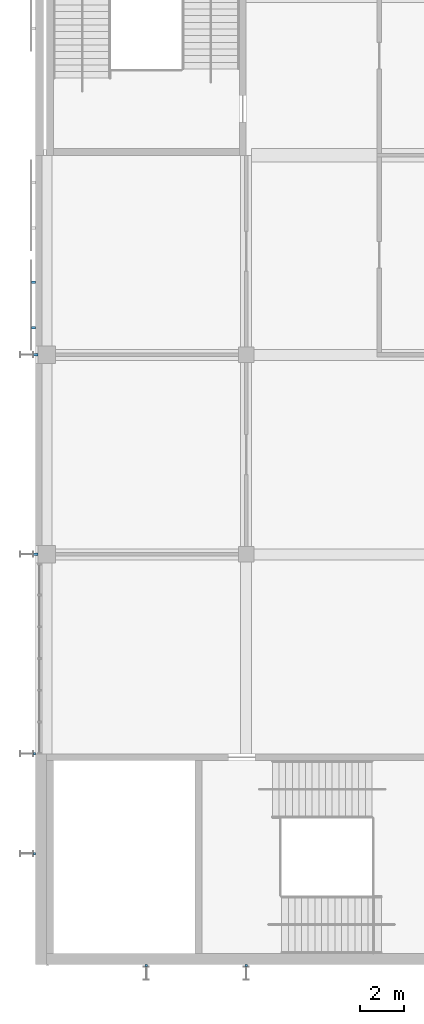
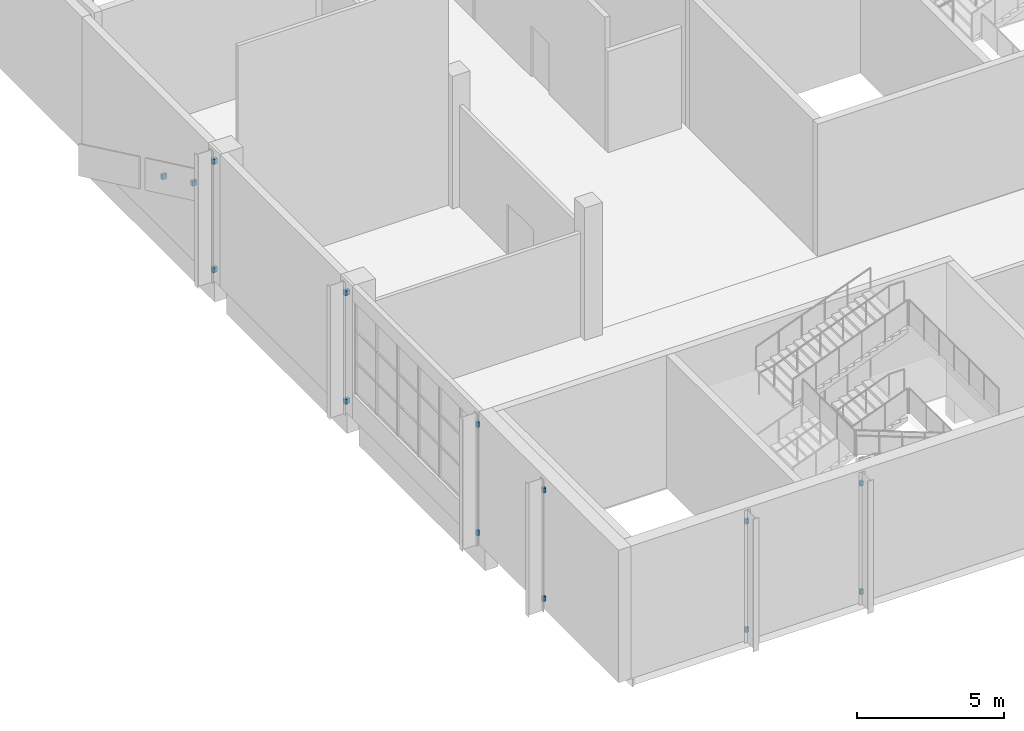
# One storey, part 48 of 84: 14 discrete accessories.
"""IFC4 building model written with IfcOpenShell, lengths in metres."""

from ifc_helpers import new_model, si_unit, direction, frame, origin, origin_2d, place, context, subcontext, project, spatial, rectangle, extrude, material, type_object, element, save


model = new_model("IFC4")

# Units and contexts
model_context = context("Model", 3, precision=1e-05, world=origin(), true_north=direction((0.0, 1.0)))
body_context = subcontext(model_context, "Body", "Model", "MODEL_VIEW")
ifc_project = project(units=[si_unit("LENGTHUNIT", "METRE"), si_unit("AREAUNIT", "SQUARE_METRE"), si_unit("VOLUMEUNIT", "CUBIC_METRE"), si_unit("PLANEANGLEUNIT", "RADIAN"), si_unit("MASSUNIT", "GRAM", prefix="KILO")], contexts=[model_context])

# Site, building, storey
site_placement = place(None, origin())
site = spatial("IfcSite", under=ifc_project, at=site_placement, CompositionType="ELEMENT")
building_placement = place(site_placement, origin())
building = spatial("IfcBuilding", under=site, at=building_placement, Name="Silverbay Arena", CompositionType="ELEMENT")
storey_placement = place(building_placement, frame((0.0, 0.0, 28.0)))
storey = spatial("IfcBuildingStorey", under=building, at=storey_placement, Name="L04", CompositionType="ELEMENT", Elevation=28.0)

# Discrete accessories
ifc_material = material(Name="Steel S355", Category="steel")
discrete_accessory_type = type_object("IfcDiscreteAccessoryType", Name="Steel bracket plate", PredefinedType="BRACKET", material=ifc_material)
for number, where, z_axis, x_axis, name in (
    (1, (58.5, 17.449951171875, 0.39990234375), (0.0, 0.0, 1.0), (1.0, 0.0, 0.0), "Fin bracket"),
    (2, (58.5, 17.449951171875, 4.89990234375), (0.0, 0.0, 1.0), (1.0, 0.0, 0.0), "Fin bracket"),
    (3, (63.0, 17.449951171875, 0.39990234375), (0.0, 0.0, 1.0), (1.0, 0.0, 0.0), "Fin bracket"),
    (4, (63.0, 17.449951171875, 4.89990234375), (0.0, 0.0, 1.0), (1.0, 0.0, 0.0), "Fin bracket"),
):
    element("IfcDiscreteAccessory", number, at=place(storey_placement, frame(where, z_axis=z_axis, x_axis=x_axis)), inside=storey, type_object=discrete_accessory_type, Name=name, PredefinedType="BRACKET", context=body_context, shape_type="SweptSolid", body=[
        extrude(rectangle(XDim=0.1201171875, YDim=0.10009765625, at=origin_2d()), origin(), (0.0, 0.0, 1.0), 0.199951171875),
    ])
for number, where, z_axis, x_axis, name in (
    (5, (53.449951171875, 22.5, 0.39990234375), (0.0, 0.0, 1.0), (1.0, 0.0, 0.0), "Fin bracket"),
    (6, (53.449951171875, 22.5, 4.89990234375), (0.0, 0.0, 1.0), (1.0, 0.0, 0.0), "Fin bracket"),
    (7, (53.449951171875, 27.0, 0.39990234375), (0.0, 0.0, 1.0), (1.0, 0.0, 0.0), "Fin bracket"),
    (8, (53.449951171875, 27.0, 4.89990234375), (0.0, 0.0, 1.0), (1.0, 0.0, 0.0), "Fin bracket"),
):
    element("IfcDiscreteAccessory", number, at=place(storey_placement, frame(where, z_axis=z_axis, x_axis=x_axis)), inside=storey, type_object=discrete_accessory_type, Name=name, PredefinedType="BRACKET", context=body_context, shape_type="SweptSolid", body=[
        extrude(rectangle(XDim=0.10009765625, YDim=0.1201171875, at=origin_2d()), origin(), (0.0, 0.0, 1.0), 0.199951171875),
    ])
for number, where, z_axis, x_axis, name in (
    (9, (53.5, 36.0, 0.39990234375), (0.0, 0.0, 1.0), (1.0, 0.0, 0.0), "Fin bracket"),
    (10, (53.5, 36.0, 4.89990234375), (0.0, 0.0, 1.0), (1.0, 0.0, 0.0), "Fin bracket"),
    (11, (53.5, 45.0, 0.39990234375), (0.0, 0.0, 1.0), (1.0, 0.0, 0.0), "Fin bracket"),
    (12, (53.5, 45.0, 4.89990234375), (0.0, 0.0, 1.0), (1.0, 0.0, 0.0), "Fin bracket"),
):
    element("IfcDiscreteAccessory", number, at=place(storey_placement, frame(where, z_axis=z_axis, x_axis=x_axis)), inside=storey, type_object=discrete_accessory_type, Name=name, PredefinedType="BRACKET", context=body_context, shape_type="SweptSolid", body=[
        extrude(rectangle(XDim=0.199951171875, YDim=0.1201171875, at=origin_2d()), origin(), (0.0, 0.0, 1.0), 0.199951171875),
    ])
for number, where, z_axis, x_axis, name in (
    (13, (53.409912109375, 46.22509765625, 3.2822265625), (0.0, 0.0, 1.0), (1.0, 0.0, 0.0), "Band bracket"),
    (14, (53.409912109375, 48.27490234375, 2.30859375), (0.0, 0.0, 1.0), (1.0, 0.0, 0.0), "Band bracket"),
):
    element("IfcDiscreteAccessory", number, at=place(storey_placement, frame(where, z_axis=z_axis, x_axis=x_axis)), inside=storey, type_object=discrete_accessory_type, Name=name, PredefinedType="BRACKET", context=body_context, shape_type="SweptSolid", body=[
        extrude(rectangle(XDim=0.179931640625, YDim=0.1201171875, at=origin_2d()), origin(), (0.0, 0.0, 1.0), 0.199951171875),
    ])

save(model, "model.ifc")
